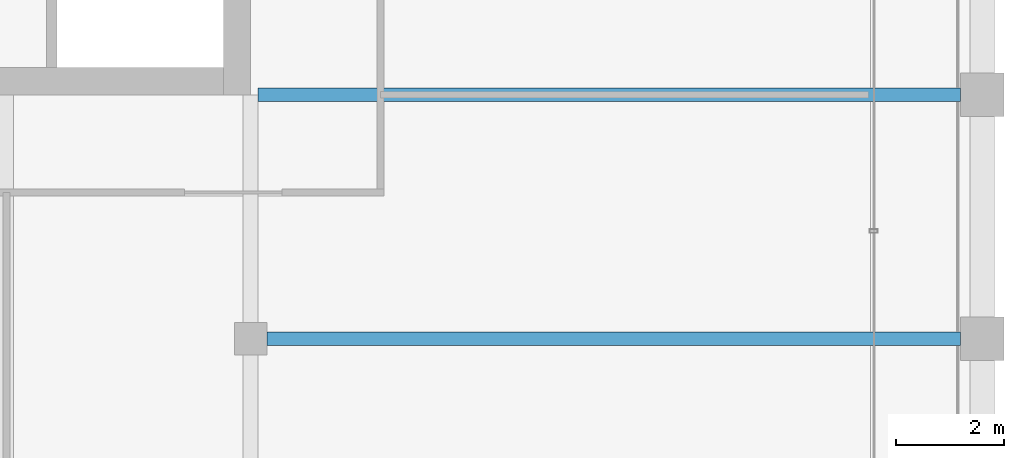
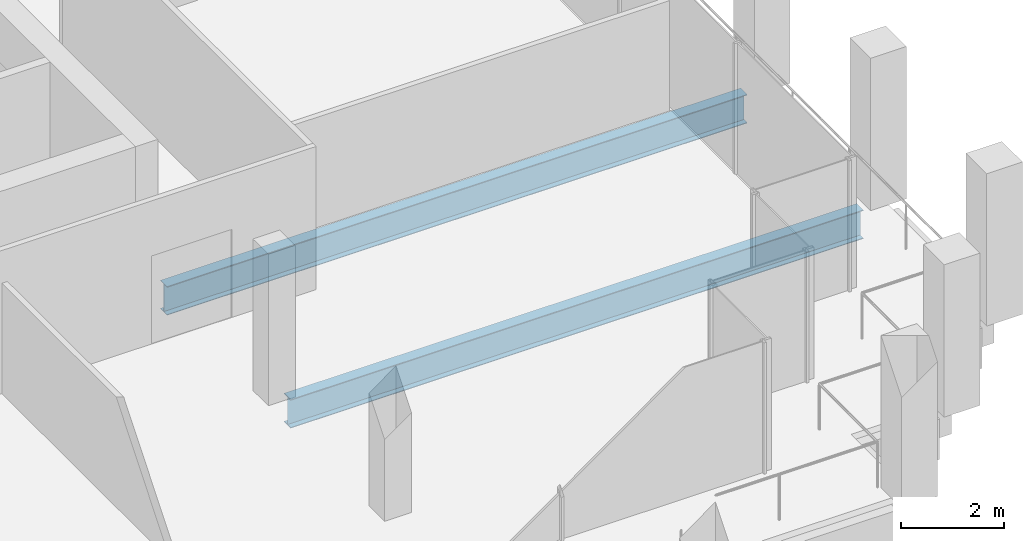
# One storey, part 14 of 30: 2 beams.
"""IFC4 building model written with IfcOpenShell, lengths in metres."""

from ifc_helpers import new_model, si_unit, direction, frame, origin, origin_2d, place, context, subcontext, project, spatial, i_section, extrude, material, material_profile, profile_set, type_object, element, save


model = new_model("IFC4")

# Units and contexts
model_context = context("Model", 3, precision=1e-05, world=origin(), true_north=direction((0.0, 1.0)))
body_context = subcontext(model_context, "Body", "Model", "MODEL_VIEW")
ifc_project = project(units=[si_unit("LENGTHUNIT", "METRE"), si_unit("AREAUNIT", "SQUARE_METRE"), si_unit("VOLUMEUNIT", "CUBIC_METRE"), si_unit("PLANEANGLEUNIT", "RADIAN"), si_unit("MASSUNIT", "GRAM", prefix="KILO")], contexts=[model_context])

# Site, building, storey
site_placement = place(None, origin())
site = spatial("IfcSite", under=ifc_project, at=site_placement, CompositionType="ELEMENT")
building_placement = place(site_placement, origin())
building = spatial("IfcBuilding", under=site, at=building_placement, Name="Altepetl Exchange Towers", CompositionType="ELEMENT")
storey_placement = place(building_placement, frame((0.0, 0.0, 242.39990234375)))
storey = spatial("IfcBuildingStorey", under=building, at=storey_placement, Name="L62", CompositionType="ELEMENT", Elevation=242.39990234375)

# Beams
ifc_material = material(Name="Steel S355", Category="steel")
ifc_material_profile = material_profile(ifc_material, i_section(OverallWidth=0.2529296875, OverallDepth=0.677978515625, WebThickness=0.01171875, FlangeThickness=0.016357421875, at=origin_2d()), Name="W27X84")
ifc_profile_set = profile_set([ifc_material_profile], Name="Steel S355")
beam_type = type_object("IfcBeamType", Name="Floor beam W27X84", PredefinedType="BEAM", material=ifc_profile_set)
beam_1_placement = place(storey_placement, frame((58.800048828125, 36.0, -0.489013671875), z_axis=(1.0, 0.0, 0.0), x_axis=(0.0, 1.0, 0.0)))
element("IfcBeam", 1, at=beam_1_placement, inside=storey, type_object=beam_type, Name="bm:A:L62:007", PredefinedType="BEAM", context=body_context, shape_type="SweptSolid", body=[
    extrude(i_section(OverallWidth=0.2529296875, OverallDepth=0.677978515625, WebThickness=0.01171875, FlangeThickness=0.016357421875, at=origin_2d()), origin(), (0.0, 0.0, 1.0), 12.800048828125),
])
beam_2_placement = place(storey_placement, frame((58.634033203125, 40.5, -0.489013671875), z_axis=(1.0, 0.0, 0.0), x_axis=(0.0, 1.0, 0.0)))
element("IfcBeam", 2, at=beam_2_placement, inside=storey, type_object=beam_type, Name="bm:A:L62:008", PredefinedType="BEAM", context=body_context, shape_type="SweptSolid", body=[
    extrude(i_section(OverallWidth=0.2529296875, OverallDepth=0.677978515625, WebThickness=0.01171875, FlangeThickness=0.016357421875, at=origin_2d()), origin(), (0.0, 0.0, 1.0), 12.966064453125),
])

save(model, "model.ifc")
